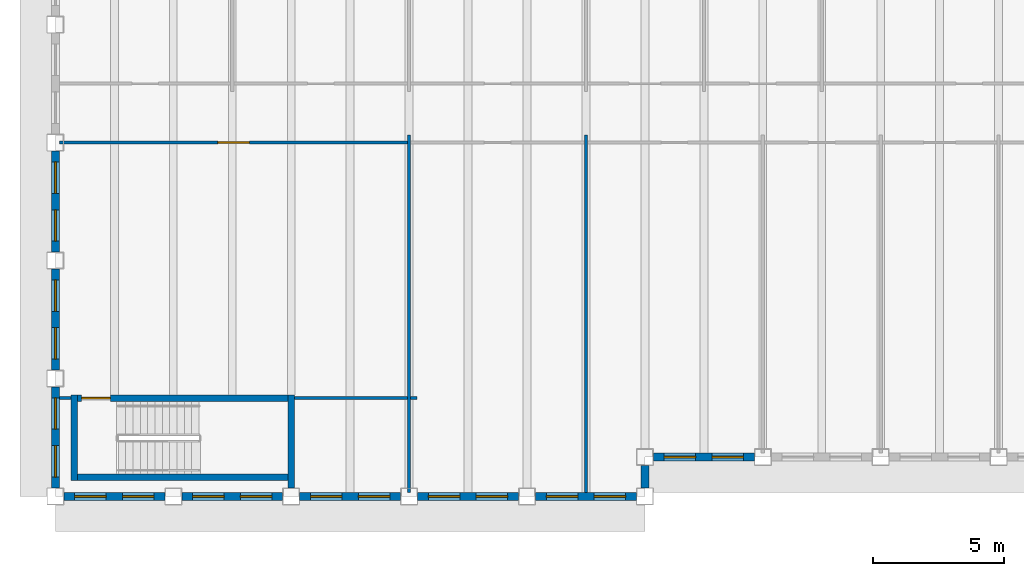
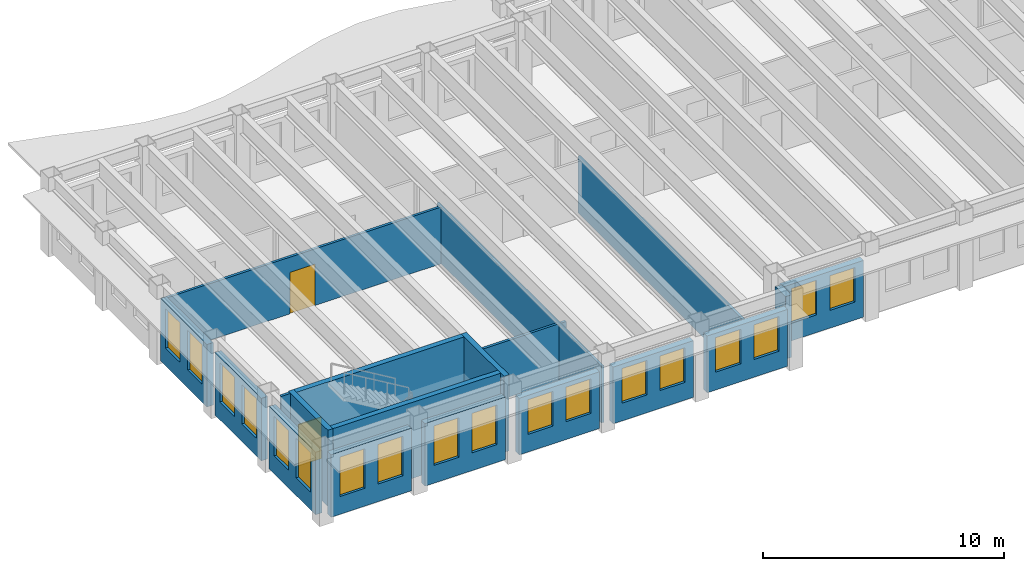
# One storey, part 2 of 12: 20 walls, 18 windows, 2 doors, 20 openings.
"""IFC4 building model written with IfcOpenShell, lengths in metres."""

from ifc_helpers import new_model, si_unit, direction, frame, frame_2d, origin, place, context, subcontext, project, spatial, rectangle, extrude, material, layer, layer_set, type_object, element, fill, save


model = new_model("IFC4")

# Units and contexts
model_context = context("Model", 3, precision=1e-05, world=origin(), true_north=direction((0.0, 1.0)))
body_context = subcontext(model_context, "Body", "Model", "MODEL_VIEW")
ifc_project = project(units=[si_unit("LENGTHUNIT", "METRE"), si_unit("AREAUNIT", "SQUARE_METRE"), si_unit("VOLUMEUNIT", "CUBIC_METRE"), si_unit("PLANEANGLEUNIT", "RADIAN"), si_unit("MASSUNIT", "GRAM", prefix="KILO")], contexts=[model_context])

# Site, building, storey
site_placement = place(None, origin())
site = spatial("IfcSite", under=ifc_project, at=site_placement, CompositionType="ELEMENT")
building_placement = place(site_placement, origin())
building = spatial("IfcBuilding", under=site, at=building_placement, Name="Sennacour Bend Tower", CompositionType="ELEMENT")
storey_placement = place(building_placement, frame((0.0, 0.0, 281.0)))
storey = spatial("IfcBuildingStorey", under=building, at=storey_placement, Name="L65", CompositionType="ELEMENT", Elevation=281.0)

# Walls
ifc_material_1 = material(Name="Plasterboard partition on steel studs", Category="steel")
ifc_layer_1 = layer(ifc_material_1, 0.1201171875, Name="Plasterboard partition on steel studs", Category="steel")
ifc_layer_set_1 = layer_set([ifc_layer_1], Name="Plasterboard partition on steel studs")
wall_type_1 = type_object("IfcWallType", Name="Partition 120", PredefinedType="PARTITIONING", material=ifc_layer_set_1)
for number, where, z_axis, x_axis, name in (
    (1, (13.5, 0.14990234375, 0.0), (0.0, 0.0, 1.0), (0.0, 1.0, 0.0), "P-L65-W005a"),
    (2, (20.25, 0.14990234375, 0.0), (0.0, 0.0, 1.0), (0.0, 1.0, 0.0), "P-L65-W007a"),
):
    element("IfcWall", number, at=place(storey_placement, frame(where, z_axis=z_axis, x_axis=x_axis)), inside=storey, type_object=wall_type_1, Name=name, PredefinedType="PARTITIONING", context=body_context, shape_type="SweptSolid", body=[
        extrude(rectangle(XDim=13.650146484375, YDim=0.1201171875, at=frame_2d((6.8251953125, 0.0))), origin(), (0.0, 0.0, 1.0), 2.8701171875),
    ])
wall_1_placement = place(storey_placement, frame((0.14990234375, 3.75, 0.0), z_axis=(0.0, 0.0, 1.0), x_axis=(1.0, 0.0, 0.0)))
element("IfcWall", 3, at=wall_1_placement, inside=storey, type_object=wall_type_1, Name="P-L65-W033a", PredefinedType="PARTITIONING", context=body_context, shape_type="SweptSolid", body=[
    extrude(rectangle(XDim=0.4501953125, YDim=0.1201171875, at=frame_2d((0.22509765625, 0.0))), origin(), (0.0, 0.0, 1.0), 3.85009765625),
])
wall_2_placement = place(storey_placement, frame((9.125, 3.75, 0.0), z_axis=(0.0, 0.0, 1.0), x_axis=(1.0, 0.0, 0.0)))
element("IfcWall", 4, at=wall_2_placement, inside=storey, type_object=wall_type_1, Name="P-L65-W035aa", PredefinedType="PARTITIONING", context=body_context, shape_type="SweptSolid", body=[
    extrude(rectangle(XDim=4.31494140625, YDim=0.1201171875, at=frame_2d((2.157470703125, 0.0))), origin(), (0.0, 0.0, 1.0), 2.8701171875),
])
wall_3_placement = place(storey_placement, frame((13.56005859375, 3.75, 0.0), z_axis=(0.0, 0.0, 1.0), x_axis=(1.0, 0.0, 0.0)))
element("IfcWall", 5, at=wall_3_placement, inside=storey, type_object=wall_type_1, Name="P-L65-W035ab", PredefinedType="PARTITIONING", context=body_context, shape_type="SweptSolid", body=[
    extrude(rectangle(XDim=0.239990234375, YDim=0.1201171875, at=frame_2d((0.1201171875, 0.0))), origin(), (0.0, 0.0, 1.0), 2.8701171875),
])

# Wall, opening, door
ifc_layer_2 = layer(ifc_material_1, 0.1201171875, Name="Plasterboard partition on steel studs", Category="steel")
ifc_layer_set_2 = layer_set([ifc_layer_2], Name="Plasterboard partition on steel studs")
wall_type_2 = type_object("IfcWallType", Name="Partition 120 EI 30", PredefinedType="PARTITIONING", material=ifc_layer_set_2)
wall_4_placement = place(storey_placement, frame((0.14990234375, 13.5, 0.0), z_axis=(0.0, 0.0, 1.0), x_axis=(1.0, 0.0, 0.0)))
wall_4 = element("IfcWall", 6, at=wall_4_placement, inside=storey, type_object=wall_type_2, Name="P-L65-W043aa", PredefinedType="PARTITIONING", context=body_context, shape_type="SweptSolid", body=[
    extrude(rectangle(XDim=13.2900390625, YDim=0.1201171875, at=frame_2d((6.64501953125, 0.0))), origin(), (0.0, 0.0, 1.0), 2.8701171875),
])
opening_1_placement = place(wall_4_placement, frame((6.05517578125, 0.0, 0.0)))
opening_1 = element("IfcOpeningElement", 7, at=opening_1_placement, cuts=wall_4, Name="Opening KD2", PredefinedType="OPENING", context=body_context, shape_type="SweptSolid", body=[
    extrude(rectangle(XDim=1.199951171875, YDim=2.10009765625, at=frame_2d((0.60009765625, 1.050048828125))), frame((0.0, 0.070068359375, 0.0), z_axis=(0.0, -1.0, 0.0), x_axis=(1.0, 0.0, 0.0)), (0.0, 0.0, 1.0), 0.14013671875),
])
ifc_material_2 = material(Name="Painted steel", Category="steel")
door_type_1 = type_object("IfcDoorType", Name="DR-CORRIDOR-1200", OperationType="NOTDEFINED", PredefinedType="DOOR", material=ifc_material_2)
door_1_placement = place(opening_1_placement, origin())
door_1 = element("IfcDoor", 8, at=door_1_placement, inside=storey, type_object=door_type_1, Name="Door", OperationType="SINGLE_SWING_RIGHT", OverallHeight=2.10009765625, OverallWidth=1.199951171875, PredefinedType="DOOR", context=body_context, shape_type="SweptSolid", body=[
    extrude(rectangle(XDim=1.199951171875, YDim=2.10009765625, at=frame_2d((0.60009765625, 1.050048828125))), frame((0.0, 0.02490234375, 0.0), z_axis=(0.0, -1.0, 0.0), x_axis=(1.0, 0.0, 0.0)), (0.0, 0.0, 1.0), 0.050048828125),
])
fill(opening_1, door_1)

# Wall
ifc_material_3 = material(Name="Warm limestone cladding", Category="masonry")
ifc_layer_3 = layer(ifc_material_3, 0.050048828125, Name="Warm limestone cladding", Category="masonry")
ifc_material_4 = material(Name="Precast concrete C40/50", Category="concrete")
ifc_layer_4 = layer(ifc_material_4, 0.25, Name="Precast concrete C40/50", Category="concrete")
ifc_layer_set_3 = layer_set([ifc_layer_3, ifc_layer_4], Name="Precast concrete C40/50 with limestone cladding")
wall_type_3 = type_object("IfcWallType", Name="STONE-CLAD PRECAST SPANDREL 300", PredefinedType="STANDARD", material=ifc_layer_set_3)
wall_5_placement = place(storey_placement, frame((22.5, 0.324951171875, 0.0), z_axis=(0.0, 0.0, 1.0), x_axis=(0.0, 1.0, 0.0)))
element("IfcWall", 9, at=wall_5_placement, inside=storey, type_object=wall_type_3, Name="Stone spandrel and pier wall L65 00.00", PredefinedType="STANDARD", context=body_context, shape_type="SweptSolid", body=[
    extrude(rectangle(XDim=0.85009765625, YDim=0.300048828125, at=frame_2d((0.425048828125, 0.0))), origin(), (0.0, 0.0, 1.0), 3.162109375),
])

# Wall, openings, windows
wall_6_placement = place(storey_placement, frame((22.824951171875, 1.5, 0.0), z_axis=(0.0, 0.0, 1.0), x_axis=(1.0, 0.0, 0.0)))
wall_6 = element("IfcWall", 10, at=wall_6_placement, inside=storey, type_object=wall_type_3, Name="Stone spandrel and pier wall L65 01.00", PredefinedType="STANDARD", context=body_context, shape_type="SweptSolid", body=[
    extrude(rectangle(XDim=3.85009765625, YDim=0.300048828125, at=frame_2d((1.925048828125, 0.0))), origin(), (0.0, 0.0, 1.0), 2.8701171875),
])
opening_2_placement = place(wall_6_placement, frame((0.41259765625, 0.0, 0.89990234375)))
opening_2 = element("IfcOpeningElement", 11, at=opening_2_placement, cuts=wall_6, Name="Opening W16", PredefinedType="OPENING", context=body_context, shape_type="SweptSolid", body=[
    extrude(rectangle(XDim=1.199951171875, YDim=1.75, at=frame_2d((0.60009765625, 0.875))), frame((0.0, 0.16015625, 0.0), z_axis=(0.0, -1.0, 0.0), x_axis=(1.0, 0.0, 0.0)), (0.0, 0.0, 1.0), 0.320068359375),
])
opening_3_placement = place(wall_6_placement, frame((2.237548828125, 0.0, 0.89990234375)))
opening_3 = element("IfcOpeningElement", 12, at=opening_3_placement, cuts=wall_6, Name="Opening W16", PredefinedType="OPENING", context=body_context, shape_type="SweptSolid", body=[
    extrude(rectangle(XDim=1.199951171875, YDim=1.75, at=frame_2d((0.60009765625, 0.875))), frame((0.0, 0.16015625, 0.0), z_axis=(0.0, -1.0, 0.0), x_axis=(1.0, 0.0, 0.0)), (0.0, 0.0, 1.0), 0.320068359375),
])
ifc_material_5 = material(Name="Clear low-emissivity glass", Category="glass")
window_type_1 = type_object("IfcWindowType", Name="WIN-RIBBON-1200x1750", PartitioningType="SINGLE_PANEL", PredefinedType="WINDOW", material=ifc_material_5)
window_1_placement = place(opening_2_placement, origin())
window_1 = element("IfcWindow", 13, at=window_1_placement, inside=storey, type_object=window_type_1, Name="Ribbon window L65 01.00.0", OverallHeight=1.75, OverallWidth=1.199951171875, PartitioningType="SINGLE_PANEL", PredefinedType="WINDOW", context=body_context, shape_type="SweptSolid", body=[
    extrude(rectangle(XDim=1.199951171875, YDim=1.75, at=frame_2d((0.60009765625, 0.875))), frame((0.0, 0.030029296875, 0.0), z_axis=(0.0, -1.0, 0.0), x_axis=(1.0, 0.0, 0.0)), (0.0, 0.0, 1.0), 0.06005859375),
])
fill(opening_2, window_1)
window_2_placement = place(opening_3_placement, origin())
window_2 = element("IfcWindow", 14, at=window_2_placement, inside=storey, type_object=window_type_1, Name="Ribbon window L65 01.00.1", OverallHeight=1.75, OverallWidth=1.199951171875, PartitioningType="SINGLE_PANEL", PredefinedType="WINDOW", context=body_context, shape_type="SweptSolid", body=[
    extrude(rectangle(XDim=1.199951171875, YDim=1.75, at=frame_2d((0.60009765625, 0.875))), frame((0.0, 0.030029296875, 0.0), z_axis=(0.0, -1.0, 0.0), x_axis=(1.0, 0.0, 0.0)), (0.0, 0.0, 1.0), 0.06005859375),
])
fill(opening_3, window_2)

wall_7_placement = place(storey_placement, frame((0.0, 13.175048828125, 0.0), z_axis=(0.0, 0.0, 1.0), x_axis=(0.0, -1.0, 0.0)))
wall_7 = element("IfcWall", 15, at=wall_7_placement, inside=storey, type_object=wall_type_3, Name="Stone spandrel and pier wall L65 10.02", PredefinedType="STANDARD", context=body_context, shape_type="SweptSolid", body=[
    extrude(rectangle(XDim=3.85009765625, YDim=0.300048828125, at=frame_2d((1.925048828125, 0.0))), origin(), (0.0, 0.0, 1.0), 3.162109375),
])
opening_4_placement = place(wall_7_placement, frame((0.41259765625, 0.0, 0.89990234375)))
opening_4 = element("IfcOpeningElement", 16, at=opening_4_placement, cuts=wall_7, Name="Opening W14", PredefinedType="OPENING", context=body_context, shape_type="SweptSolid", body=[
    extrude(rectangle(XDim=1.199951171875, YDim=2.0, at=frame_2d((0.60009765625, 1.0))), frame((0.0, 0.16015625, 0.0), z_axis=(0.0, -1.0, 0.0), x_axis=(1.0, 0.0, 0.0)), (0.0, 0.0, 1.0), 0.320068359375),
])
opening_5_placement = place(wall_7_placement, frame((2.237548828125, 0.0, 0.89990234375)))
opening_5 = element("IfcOpeningElement", 17, at=opening_5_placement, cuts=wall_7, Name="Opening W14", PredefinedType="OPENING", context=body_context, shape_type="SweptSolid", body=[
    extrude(rectangle(XDim=1.199951171875, YDim=2.0, at=frame_2d((0.60009765625, 1.0))), frame((0.0, 0.16015625, 0.0), z_axis=(0.0, -1.0, 0.0), x_axis=(1.0, 0.0, 0.0)), (0.0, 0.0, 1.0), 0.320068359375),
])
window_type_2 = type_object("IfcWindowType", Name="WIN-RIBBON-1200x2000", PartitioningType="SINGLE_PANEL", PredefinedType="WINDOW", material=ifc_material_5)
window_3_placement = place(opening_4_placement, origin())
window_3 = element("IfcWindow", 18, at=window_3_placement, inside=storey, type_object=window_type_2, Name="Ribbon window L65 10.02.0", OverallHeight=2.0, OverallWidth=1.199951171875, PartitioningType="SINGLE_PANEL", PredefinedType="WINDOW", context=body_context, shape_type="SweptSolid", body=[
    extrude(rectangle(XDim=1.199951171875, YDim=2.0, at=frame_2d((0.60009765625, 1.0))), frame((0.0, 0.030029296875, 0.0), z_axis=(0.0, -1.0, 0.0), x_axis=(1.0, 0.0, 0.0)), (0.0, 0.0, 1.0), 0.06005859375),
])
fill(opening_4, window_3)
window_4_placement = place(opening_5_placement, origin())
window_4 = element("IfcWindow", 19, at=window_4_placement, inside=storey, type_object=window_type_2, Name="Ribbon window L65 10.02.1", OverallHeight=2.0, OverallWidth=1.199951171875, PartitioningType="SINGLE_PANEL", PredefinedType="WINDOW", context=body_context, shape_type="SweptSolid", body=[
    extrude(rectangle(XDim=1.199951171875, YDim=2.0, at=frame_2d((0.60009765625, 1.0))), frame((0.0, 0.030029296875, 0.0), z_axis=(0.0, -1.0, 0.0), x_axis=(1.0, 0.0, 0.0)), (0.0, 0.0, 1.0), 0.06005859375),
])
fill(opening_5, window_4)

wall_8_placement = place(storey_placement, frame((0.0, 8.675048828125, 0.0), z_axis=(0.0, 0.0, 1.0), x_axis=(0.0, -1.0, 0.0)))
wall_8 = element("IfcWall", 20, at=wall_8_placement, inside=storey, type_object=wall_type_3, Name="Stone spandrel and pier wall L65 10.03", PredefinedType="STANDARD", context=body_context, shape_type="SweptSolid", body=[
    extrude(rectangle(XDim=3.85009765625, YDim=0.300048828125, at=frame_2d((1.925048828125, 0.0))), origin(), (0.0, 0.0, 1.0), 3.162109375),
])
opening_6_placement = place(wall_8_placement, frame((0.41259765625, 0.0, 0.89990234375)))
opening_6 = element("IfcOpeningElement", 21, at=opening_6_placement, cuts=wall_8, Name="Opening W14", PredefinedType="OPENING", context=body_context, shape_type="SweptSolid", body=[
    extrude(rectangle(XDim=1.199951171875, YDim=2.0, at=frame_2d((0.60009765625, 1.0))), frame((0.0, 0.16015625, 0.0), z_axis=(0.0, -1.0, 0.0), x_axis=(1.0, 0.0, 0.0)), (0.0, 0.0, 1.0), 0.320068359375),
])
opening_7_placement = place(wall_8_placement, frame((2.237548828125, 0.0, 0.89990234375)))
opening_7 = element("IfcOpeningElement", 22, at=opening_7_placement, cuts=wall_8, Name="Opening W14", PredefinedType="OPENING", context=body_context, shape_type="SweptSolid", body=[
    extrude(rectangle(XDim=1.199951171875, YDim=2.0, at=frame_2d((0.60009765625, 1.0))), frame((0.0, 0.16015625, 0.0), z_axis=(0.0, -1.0, 0.0), x_axis=(1.0, 0.0, 0.0)), (0.0, 0.0, 1.0), 0.320068359375),
])
window_5_placement = place(opening_6_placement, origin())
window_5 = element("IfcWindow", 23, at=window_5_placement, inside=storey, type_object=window_type_2, Name="Ribbon window L65 10.03.0", OverallHeight=2.0, OverallWidth=1.199951171875, PartitioningType="SINGLE_PANEL", PredefinedType="WINDOW", context=body_context, shape_type="SweptSolid", body=[
    extrude(rectangle(XDim=1.199951171875, YDim=2.0, at=frame_2d((0.60009765625, 1.0))), frame((0.0, 0.030029296875, 0.0), z_axis=(0.0, -1.0, 0.0), x_axis=(1.0, 0.0, 0.0)), (0.0, 0.0, 1.0), 0.06005859375),
])
fill(opening_6, window_5)
window_6_placement = place(opening_7_placement, origin())
window_6 = element("IfcWindow", 24, at=window_6_placement, inside=storey, type_object=window_type_2, Name="Ribbon window L65 10.03.1", OverallHeight=2.0, OverallWidth=1.199951171875, PartitioningType="SINGLE_PANEL", PredefinedType="WINDOW", context=body_context, shape_type="SweptSolid", body=[
    extrude(rectangle(XDim=1.199951171875, YDim=2.0, at=frame_2d((0.60009765625, 1.0))), frame((0.0, 0.030029296875, 0.0), z_axis=(0.0, -1.0, 0.0), x_axis=(1.0, 0.0, 0.0)), (0.0, 0.0, 1.0), 0.06005859375),
])
fill(opening_7, window_6)

wall_9_placement = place(storey_placement, frame((0.0, 4.175048828125, 0.0), z_axis=(0.0, 0.0, 1.0), x_axis=(0.0, -1.0, 0.0)))
wall_9 = element("IfcWall", 25, at=wall_9_placement, inside=storey, type_object=wall_type_3, Name="Stone spandrel and pier wall L65 10.04", PredefinedType="STANDARD", context=body_context, shape_type="SweptSolid", body=[
    extrude(rectangle(XDim=3.85009765625, YDim=0.300048828125, at=frame_2d((1.925048828125, 0.0))), origin(), (0.0, 0.0, 1.0), 3.162109375),
])
opening_8_placement = place(wall_9_placement, frame((0.41259765625, 0.0, 0.89990234375)))
opening_8 = element("IfcOpeningElement", 26, at=opening_8_placement, cuts=wall_9, Name="Opening W14", PredefinedType="OPENING", context=body_context, shape_type="SweptSolid", body=[
    extrude(rectangle(XDim=1.199951171875, YDim=2.0, at=frame_2d((0.60009765625, 1.0))), frame((0.0, 0.16015625, 0.0), z_axis=(0.0, -1.0, 0.0), x_axis=(1.0, 0.0, 0.0)), (0.0, 0.0, 1.0), 0.320068359375),
])
opening_9_placement = place(wall_9_placement, frame((2.237548828125, 0.0, 0.89990234375)))
opening_9 = element("IfcOpeningElement", 27, at=opening_9_placement, cuts=wall_9, Name="Opening W14", PredefinedType="OPENING", context=body_context, shape_type="SweptSolid", body=[
    extrude(rectangle(XDim=1.199951171875, YDim=2.0, at=frame_2d((0.60009765625, 1.0))), frame((0.0, 0.16015625, 0.0), z_axis=(0.0, -1.0, 0.0), x_axis=(1.0, 0.0, 0.0)), (0.0, 0.0, 1.0), 0.320068359375),
])
window_7_placement = place(opening_8_placement, origin())
window_7 = element("IfcWindow", 28, at=window_7_placement, inside=storey, type_object=window_type_2, Name="Ribbon window L65 10.04.0", OverallHeight=2.0, OverallWidth=1.199951171875, PartitioningType="SINGLE_PANEL", PredefinedType="WINDOW", context=body_context, shape_type="SweptSolid", body=[
    extrude(rectangle(XDim=1.199951171875, YDim=2.0, at=frame_2d((0.60009765625, 1.0))), frame((0.0, 0.030029296875, 0.0), z_axis=(0.0, -1.0, 0.0), x_axis=(1.0, 0.0, 0.0)), (0.0, 0.0, 1.0), 0.06005859375),
])
fill(opening_8, window_7)
window_8_placement = place(opening_9_placement, origin())
window_8 = element("IfcWindow", 29, at=window_8_placement, inside=storey, type_object=window_type_2, Name="Ribbon window L65 10.04.1", OverallHeight=2.0, OverallWidth=1.199951171875, PartitioningType="SINGLE_PANEL", PredefinedType="WINDOW", context=body_context, shape_type="SweptSolid", body=[
    extrude(rectangle(XDim=1.199951171875, YDim=2.0, at=frame_2d((0.60009765625, 1.0))), frame((0.0, 0.030029296875, 0.0), z_axis=(0.0, -1.0, 0.0), x_axis=(1.0, 0.0, 0.0)), (0.0, 0.0, 1.0), 0.06005859375),
])
fill(opening_9, window_8)

wall_10_placement = place(storey_placement, frame((0.324951171875, 0.0, 0.0), z_axis=(0.0, 0.0, 1.0), x_axis=(1.0, 0.0, 0.0)))
wall_10 = element("IfcWall", 30, at=wall_10_placement, inside=storey, type_object=wall_type_3, Name="Stone spandrel and pier wall L65 11.00", PredefinedType="STANDARD", context=body_context, shape_type="SweptSolid", body=[
    extrude(rectangle(XDim=3.85009765625, YDim=0.300048828125, at=frame_2d((1.925048828125, 0.0))), origin(), (0.0, 0.0, 1.0), 3.162109375),
])
opening_10_placement = place(wall_10_placement, frame((0.41259765625, 0.0, 0.89990234375)))
opening_10 = element("IfcOpeningElement", 31, at=opening_10_placement, cuts=wall_10, Name="Opening W14", PredefinedType="OPENING", context=body_context, shape_type="SweptSolid", body=[
    extrude(rectangle(XDim=1.199951171875, YDim=2.0, at=frame_2d((0.60009765625, 1.0))), frame((0.0, 0.16015625, 0.0), z_axis=(0.0, -1.0, 0.0), x_axis=(1.0, 0.0, 0.0)), (0.0, 0.0, 1.0), 0.320068359375),
])
opening_11_placement = place(wall_10_placement, frame((2.237548828125, 0.0, 0.89990234375)))
opening_11 = element("IfcOpeningElement", 32, at=opening_11_placement, cuts=wall_10, Name="Opening W14", PredefinedType="OPENING", context=body_context, shape_type="SweptSolid", body=[
    extrude(rectangle(XDim=1.199951171875, YDim=2.0, at=frame_2d((0.60009765625, 1.0))), frame((0.0, 0.16015625, 0.0), z_axis=(0.0, -1.0, 0.0), x_axis=(1.0, 0.0, 0.0)), (0.0, 0.0, 1.0), 0.320068359375),
])
window_9_placement = place(opening_10_placement, origin())
window_9 = element("IfcWindow", 33, at=window_9_placement, inside=storey, type_object=window_type_2, Name="Ribbon window L65 11.00.0", OverallHeight=2.0, OverallWidth=1.199951171875, PartitioningType="SINGLE_PANEL", PredefinedType="WINDOW", context=body_context, shape_type="SweptSolid", body=[
    extrude(rectangle(XDim=1.199951171875, YDim=2.0, at=frame_2d((0.60009765625, 1.0))), frame((0.0, 0.030029296875, 0.0), z_axis=(0.0, -1.0, 0.0), x_axis=(1.0, 0.0, 0.0)), (0.0, 0.0, 1.0), 0.06005859375),
])
fill(opening_10, window_9)
window_10_placement = place(opening_11_placement, origin())
window_10 = element("IfcWindow", 34, at=window_10_placement, inside=storey, type_object=window_type_2, Name="Ribbon window L65 11.00.1", OverallHeight=2.0, OverallWidth=1.199951171875, PartitioningType="SINGLE_PANEL", PredefinedType="WINDOW", context=body_context, shape_type="SweptSolid", body=[
    extrude(rectangle(XDim=1.199951171875, YDim=2.0, at=frame_2d((0.60009765625, 1.0))), frame((0.0, 0.030029296875, 0.0), z_axis=(0.0, -1.0, 0.0), x_axis=(1.0, 0.0, 0.0)), (0.0, 0.0, 1.0), 0.06005859375),
])
fill(opening_11, window_10)

wall_11_placement = place(storey_placement, frame((4.824951171875, 0.0, 0.0), z_axis=(0.0, 0.0, 1.0), x_axis=(1.0, 0.0, 0.0)))
wall_11 = element("IfcWall", 35, at=wall_11_placement, inside=storey, type_object=wall_type_3, Name="Stone spandrel and pier wall L65 11.01", PredefinedType="STANDARD", context=body_context, shape_type="SweptSolid", body=[
    extrude(rectangle(XDim=3.85009765625, YDim=0.300048828125, at=frame_2d((1.925048828125, 0.0))), origin(), (0.0, 0.0, 1.0), 3.162109375),
])
opening_12_placement = place(wall_11_placement, frame((0.41259765625, 0.0, 0.89990234375)))
opening_12 = element("IfcOpeningElement", 36, at=opening_12_placement, cuts=wall_11, Name="Opening W14", PredefinedType="OPENING", context=body_context, shape_type="SweptSolid", body=[
    extrude(rectangle(XDim=1.199951171875, YDim=2.0, at=frame_2d((0.60009765625, 1.0))), frame((0.0, 0.16015625, 0.0), z_axis=(0.0, -1.0, 0.0), x_axis=(1.0, 0.0, 0.0)), (0.0, 0.0, 1.0), 0.320068359375),
])
opening_13_placement = place(wall_11_placement, frame((2.237548828125, 0.0, 0.89990234375)))
opening_13 = element("IfcOpeningElement", 37, at=opening_13_placement, cuts=wall_11, Name="Opening W14", PredefinedType="OPENING", context=body_context, shape_type="SweptSolid", body=[
    extrude(rectangle(XDim=1.199951171875, YDim=2.0, at=frame_2d((0.60009765625, 1.0))), frame((0.0, 0.16015625, 0.0), z_axis=(0.0, -1.0, 0.0), x_axis=(1.0, 0.0, 0.0)), (0.0, 0.0, 1.0), 0.320068359375),
])
window_11_placement = place(opening_12_placement, origin())
window_11 = element("IfcWindow", 38, at=window_11_placement, inside=storey, type_object=window_type_2, Name="Ribbon window L65 11.01.0", OverallHeight=2.0, OverallWidth=1.199951171875, PartitioningType="SINGLE_PANEL", PredefinedType="WINDOW", context=body_context, shape_type="SweptSolid", body=[
    extrude(rectangle(XDim=1.199951171875, YDim=2.0, at=frame_2d((0.60009765625, 1.0))), frame((0.0, 0.030029296875, 0.0), z_axis=(0.0, -1.0, 0.0), x_axis=(1.0, 0.0, 0.0)), (0.0, 0.0, 1.0), 0.06005859375),
])
fill(opening_12, window_11)
window_12_placement = place(opening_13_placement, origin())
window_12 = element("IfcWindow", 39, at=window_12_placement, inside=storey, type_object=window_type_2, Name="Ribbon window L65 11.01.1", OverallHeight=2.0, OverallWidth=1.199951171875, PartitioningType="SINGLE_PANEL", PredefinedType="WINDOW", context=body_context, shape_type="SweptSolid", body=[
    extrude(rectangle(XDim=1.199951171875, YDim=2.0, at=frame_2d((0.60009765625, 1.0))), frame((0.0, 0.030029296875, 0.0), z_axis=(0.0, -1.0, 0.0), x_axis=(1.0, 0.0, 0.0)), (0.0, 0.0, 1.0), 0.06005859375),
])
fill(opening_13, window_12)

wall_12_placement = place(storey_placement, frame((9.324951171875, 0.0, 0.0), z_axis=(0.0, 0.0, 1.0), x_axis=(1.0, 0.0, 0.0)))
wall_12 = element("IfcWall", 40, at=wall_12_placement, inside=storey, type_object=wall_type_3, Name="Stone spandrel and pier wall L65 11.02", PredefinedType="STANDARD", context=body_context, shape_type="SweptSolid", body=[
    extrude(rectangle(XDim=3.85009765625, YDim=0.300048828125, at=frame_2d((1.925048828125, 0.0))), origin(), (0.0, 0.0, 1.0), 2.8701171875),
])
opening_14_placement = place(wall_12_placement, frame((0.41259765625, 0.0, 0.89990234375)))
opening_14 = element("IfcOpeningElement", 41, at=opening_14_placement, cuts=wall_12, Name="Opening W16", PredefinedType="OPENING", context=body_context, shape_type="SweptSolid", body=[
    extrude(rectangle(XDim=1.199951171875, YDim=1.75, at=frame_2d((0.60009765625, 0.875))), frame((0.0, 0.16015625, 0.0), z_axis=(0.0, -1.0, 0.0), x_axis=(1.0, 0.0, 0.0)), (0.0, 0.0, 1.0), 0.320068359375),
])
opening_15_placement = place(wall_12_placement, frame((2.237548828125, 0.0, 0.89990234375)))
opening_15 = element("IfcOpeningElement", 42, at=opening_15_placement, cuts=wall_12, Name="Opening W16", PredefinedType="OPENING", context=body_context, shape_type="SweptSolid", body=[
    extrude(rectangle(XDim=1.199951171875, YDim=1.75, at=frame_2d((0.60009765625, 0.875))), frame((0.0, 0.16015625, 0.0), z_axis=(0.0, -1.0, 0.0), x_axis=(1.0, 0.0, 0.0)), (0.0, 0.0, 1.0), 0.320068359375),
])
window_13_placement = place(opening_14_placement, origin())
window_13 = element("IfcWindow", 43, at=window_13_placement, inside=storey, type_object=window_type_1, Name="Ribbon window L65 11.02.0", OverallHeight=1.75, OverallWidth=1.199951171875, PartitioningType="SINGLE_PANEL", PredefinedType="WINDOW", context=body_context, shape_type="SweptSolid", body=[
    extrude(rectangle(XDim=1.199951171875, YDim=1.75, at=frame_2d((0.60009765625, 0.875))), frame((0.0, 0.030029296875, 0.0), z_axis=(0.0, -1.0, 0.0), x_axis=(1.0, 0.0, 0.0)), (0.0, 0.0, 1.0), 0.06005859375),
])
fill(opening_14, window_13)
window_14_placement = place(opening_15_placement, origin())
window_14 = element("IfcWindow", 44, at=window_14_placement, inside=storey, type_object=window_type_1, Name="Ribbon window L65 11.02.1", OverallHeight=1.75, OverallWidth=1.199951171875, PartitioningType="SINGLE_PANEL", PredefinedType="WINDOW", context=body_context, shape_type="SweptSolid", body=[
    extrude(rectangle(XDim=1.199951171875, YDim=1.75, at=frame_2d((0.60009765625, 0.875))), frame((0.0, 0.030029296875, 0.0), z_axis=(0.0, -1.0, 0.0), x_axis=(1.0, 0.0, 0.0)), (0.0, 0.0, 1.0), 0.06005859375),
])
fill(opening_15, window_14)

wall_13_placement = place(storey_placement, frame((13.824951171875, 0.0, 0.0), z_axis=(0.0, 0.0, 1.0), x_axis=(1.0, 0.0, 0.0)))
wall_13 = element("IfcWall", 45, at=wall_13_placement, inside=storey, type_object=wall_type_3, Name="Stone spandrel and pier wall L65 11.03", PredefinedType="STANDARD", context=body_context, shape_type="SweptSolid", body=[
    extrude(rectangle(XDim=3.85009765625, YDim=0.300048828125, at=frame_2d((1.925048828125, 0.0))), origin(), (0.0, 0.0, 1.0), 2.8701171875),
])
opening_16_placement = place(wall_13_placement, frame((0.41259765625, 0.0, 0.89990234375)))
opening_16 = element("IfcOpeningElement", 46, at=opening_16_placement, cuts=wall_13, Name="Opening W16", PredefinedType="OPENING", context=body_context, shape_type="SweptSolid", body=[
    extrude(rectangle(XDim=1.199951171875, YDim=1.75, at=frame_2d((0.60009765625, 0.875))), frame((0.0, 0.16015625, 0.0), z_axis=(0.0, -1.0, 0.0), x_axis=(1.0, 0.0, 0.0)), (0.0, 0.0, 1.0), 0.320068359375),
])
opening_17_placement = place(wall_13_placement, frame((2.237548828125, 0.0, 0.89990234375)))
opening_17 = element("IfcOpeningElement", 47, at=opening_17_placement, cuts=wall_13, Name="Opening W16", PredefinedType="OPENING", context=body_context, shape_type="SweptSolid", body=[
    extrude(rectangle(XDim=1.199951171875, YDim=1.75, at=frame_2d((0.60009765625, 0.875))), frame((0.0, 0.16015625, 0.0), z_axis=(0.0, -1.0, 0.0), x_axis=(1.0, 0.0, 0.0)), (0.0, 0.0, 1.0), 0.320068359375),
])
window_15_placement = place(opening_16_placement, origin())
window_15 = element("IfcWindow", 48, at=window_15_placement, inside=storey, type_object=window_type_1, Name="Ribbon window L65 11.03.0", OverallHeight=1.75, OverallWidth=1.199951171875, PartitioningType="SINGLE_PANEL", PredefinedType="WINDOW", context=body_context, shape_type="SweptSolid", body=[
    extrude(rectangle(XDim=1.199951171875, YDim=1.75, at=frame_2d((0.60009765625, 0.875))), frame((0.0, 0.030029296875, 0.0), z_axis=(0.0, -1.0, 0.0), x_axis=(1.0, 0.0, 0.0)), (0.0, 0.0, 1.0), 0.06005859375),
])
fill(opening_16, window_15)
window_16_placement = place(opening_17_placement, origin())
window_16 = element("IfcWindow", 49, at=window_16_placement, inside=storey, type_object=window_type_1, Name="Ribbon window L65 11.03.1", OverallHeight=1.75, OverallWidth=1.199951171875, PartitioningType="SINGLE_PANEL", PredefinedType="WINDOW", context=body_context, shape_type="SweptSolid", body=[
    extrude(rectangle(XDim=1.199951171875, YDim=1.75, at=frame_2d((0.60009765625, 0.875))), frame((0.0, 0.030029296875, 0.0), z_axis=(0.0, -1.0, 0.0), x_axis=(1.0, 0.0, 0.0)), (0.0, 0.0, 1.0), 0.06005859375),
])
fill(opening_17, window_16)

wall_14_placement = place(storey_placement, frame((18.324951171875, 0.0, 0.0), z_axis=(0.0, 0.0, 1.0), x_axis=(1.0, 0.0, 0.0)))
wall_14 = element("IfcWall", 50, at=wall_14_placement, inside=storey, type_object=wall_type_3, Name="Stone spandrel and pier wall L65 11.04", PredefinedType="STANDARD", context=body_context, shape_type="SweptSolid", body=[
    extrude(rectangle(XDim=3.85009765625, YDim=0.300048828125, at=frame_2d((1.925048828125, 0.0))), origin(), (0.0, 0.0, 1.0), 2.8701171875),
])
opening_18_placement = place(wall_14_placement, frame((0.41259765625, 0.0, 0.89990234375)))
opening_18 = element("IfcOpeningElement", 51, at=opening_18_placement, cuts=wall_14, Name="Opening W16", PredefinedType="OPENING", context=body_context, shape_type="SweptSolid", body=[
    extrude(rectangle(XDim=1.199951171875, YDim=1.75, at=frame_2d((0.60009765625, 0.875))), frame((0.0, 0.16015625, 0.0), z_axis=(0.0, -1.0, 0.0), x_axis=(1.0, 0.0, 0.0)), (0.0, 0.0, 1.0), 0.320068359375),
])
opening_19_placement = place(wall_14_placement, frame((2.237548828125, 0.0, 0.89990234375)))
opening_19 = element("IfcOpeningElement", 52, at=opening_19_placement, cuts=wall_14, Name="Opening W16", PredefinedType="OPENING", context=body_context, shape_type="SweptSolid", body=[
    extrude(rectangle(XDim=1.199951171875, YDim=1.75, at=frame_2d((0.60009765625, 0.875))), frame((0.0, 0.16015625, 0.0), z_axis=(0.0, -1.0, 0.0), x_axis=(1.0, 0.0, 0.0)), (0.0, 0.0, 1.0), 0.320068359375),
])
window_17_placement = place(opening_18_placement, origin())
window_17 = element("IfcWindow", 53, at=window_17_placement, inside=storey, type_object=window_type_1, Name="Ribbon window L65 11.04.0", OverallHeight=1.75, OverallWidth=1.199951171875, PartitioningType="SINGLE_PANEL", PredefinedType="WINDOW", context=body_context, shape_type="SweptSolid", body=[
    extrude(rectangle(XDim=1.199951171875, YDim=1.75, at=frame_2d((0.60009765625, 0.875))), frame((0.0, 0.030029296875, 0.0), z_axis=(0.0, -1.0, 0.0), x_axis=(1.0, 0.0, 0.0)), (0.0, 0.0, 1.0), 0.06005859375),
])
fill(opening_18, window_17)
window_18_placement = place(opening_19_placement, origin())
window_18 = element("IfcWindow", 54, at=window_18_placement, inside=storey, type_object=window_type_1, Name="Ribbon window L65 11.04.1", OverallHeight=1.75, OverallWidth=1.199951171875, PartitioningType="SINGLE_PANEL", PredefinedType="WINDOW", context=body_context, shape_type="SweptSolid", body=[
    extrude(rectangle(XDim=1.199951171875, YDim=1.75, at=frame_2d((0.60009765625, 0.875))), frame((0.0, 0.030029296875, 0.0), z_axis=(0.0, -1.0, 0.0), x_axis=(1.0, 0.0, 0.0)), (0.0, 0.0, 1.0), 0.06005859375),
])
fill(opening_19, window_18)

# Walls
ifc_material_6 = material(Name="Concrete C60/75", Category="concrete")
ifc_layer_5 = layer(ifc_material_6, 0.25, Name="Concrete C60/75", Category="concrete")
ifc_layer_set_4 = layer_set([ifc_layer_5], Name="Concrete C60/75")
wall_type_4 = type_object("IfcWallType", Name="Stair wall 250", PredefinedType="SHEAR", material=ifc_layer_set_4)
wall_15_placement = place(storey_placement, frame((0.72509765625, 0.60009765625, 0.0), z_axis=(0.0, 0.0, 1.0), x_axis=(0.0, 1.0, 0.0)))
element("IfcWall", 55, at=wall_15_placement, inside=storey, type_object=wall_type_4, Name="P-L65-W002", PredefinedType="SHEAR", context=body_context, shape_type="SweptSolid", body=[
    extrude(rectangle(XDim=3.27490234375, YDim=0.25, at=frame_2d((1.637451171875, 0.0))), origin(), (0.0, 0.0, 1.0), 3.85009765625),
])
wall_16_placement = place(storey_placement, frame((9.0, 0.324951171875, 0.0), z_axis=(0.0, 0.0, 1.0), x_axis=(0.0, 1.0, 0.0)))
element("IfcWall", 56, at=wall_16_placement, inside=storey, type_object=wall_type_4, Name="P-L65-W004", PredefinedType="SHEAR", context=body_context, shape_type="SweptSolid", body=[
    extrude(rectangle(XDim=3.550048828125, YDim=0.25, at=frame_2d((1.77490234375, 0.0))), origin(), (0.0, 0.0, 1.0), 3.85009765625),
])
wall_17_placement = place(storey_placement, frame((0.85009765625, 0.72509765625, 0.0), z_axis=(0.0, 0.0, 1.0), x_axis=(1.0, 0.0, 0.0)))
element("IfcWall", 57, at=wall_17_placement, inside=storey, type_object=wall_type_4, Name="P-L65-W030", PredefinedType="SHEAR", context=body_context, shape_type="SweptSolid", body=[
    extrude(rectangle(XDim=8.02490234375, YDim=0.25, at=frame_2d((4.012451171875, 0.0))), origin(), (0.0, 0.0, 1.0), 3.85009765625),
])

# Wall, opening, door
wall_18_placement = place(storey_placement, frame((0.85009765625, 3.75, 0.0), z_axis=(0.0, 0.0, 1.0), x_axis=(1.0, 0.0, 0.0)))
wall_18 = element("IfcWall", 58, at=wall_18_placement, inside=storey, type_object=wall_type_4, Name="P-L65-W034", PredefinedType="SHEAR", context=body_context, shape_type="SweptSolid", body=[
    extrude(rectangle(XDim=8.02490234375, YDim=0.25, at=frame_2d((4.012451171875, 0.0))), origin(), (0.0, 0.0, 1.0), 3.85009765625),
])
opening_20_placement = place(wall_18_placement, frame((0.14990234375, 0.0, 0.0)))
opening_20 = element("IfcOpeningElement", 59, at=opening_20_placement, cuts=wall_18, Name="Opening SD", PredefinedType="OPENING", context=body_context, shape_type="SweptSolid", body=[
    extrude(rectangle(XDim=1.10009765625, YDim=2.10009765625, at=frame_2d((0.550048828125, 1.050048828125))), frame((0.0, 0.135009765625, 0.0), z_axis=(0.0, -1.0, 0.0), x_axis=(1.0, 0.0, 0.0)), (0.0, 0.0, 1.0), 0.27001953125),
])
door_type_2 = type_object("IfcDoorType", Name="DR-STAIR-1100", OperationType="NOTDEFINED", PredefinedType="DOOR", material=ifc_material_2)
door_2_placement = place(opening_20_placement, origin())
door_2 = element("IfcDoor", 60, at=door_2_placement, inside=storey, type_object=door_type_2, Name="Door", OperationType="SINGLE_SWING_LEFT", OverallHeight=2.10009765625, OverallWidth=1.10009765625, PredefinedType="DOOR", context=body_context, shape_type="SweptSolid", body=[
    extrude(rectangle(XDim=1.10009765625, YDim=2.10009765625, at=frame_2d((0.550048828125, 1.050048828125))), frame((0.0, 0.02490234375, 0.0), z_axis=(0.0, -1.0, 0.0), x_axis=(1.0, 0.0, 0.0)), (0.0, 0.0, 1.0), 0.050048828125),
])
fill(opening_20, door_2)

save(model, "model.ifc")
